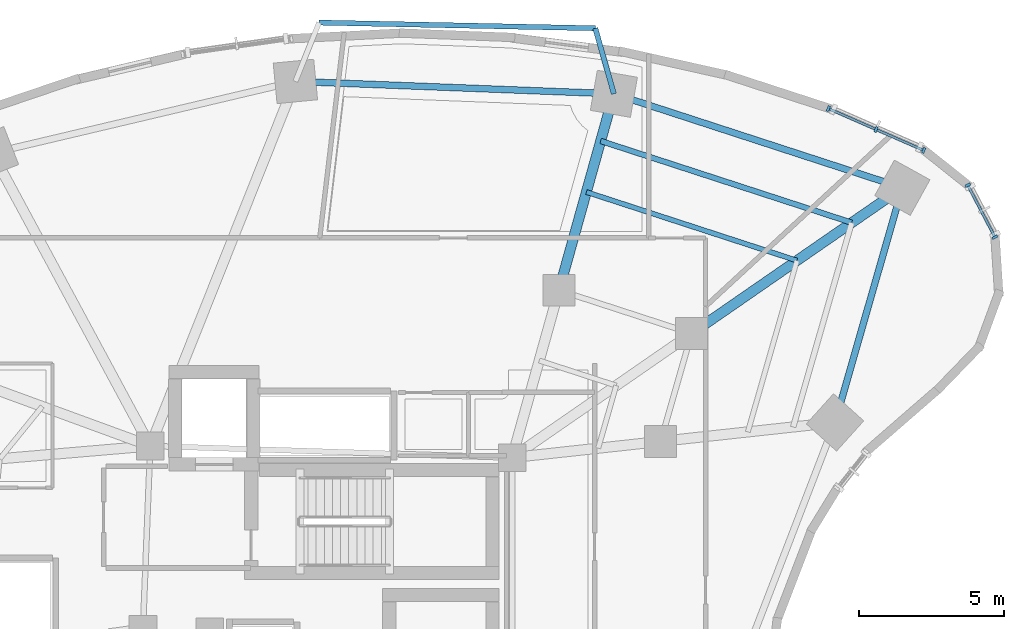
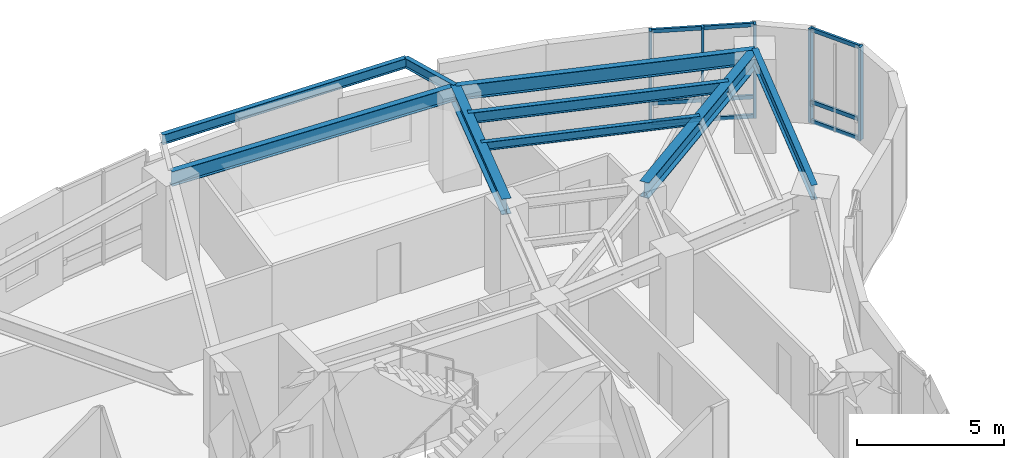
# One storey, part 6 of 15: 14 members, 9 beams, 2 elements without a shape of their own.
"""IFC4 building model written with IfcOpenShell, lengths in metres."""

from ifc_helpers import new_model, si_unit, direction, frame, origin, origin_2d, place, context, subcontext, project, spatial, rectangle, i_section, extrude, material, layer, layer_set, material_profile, profile_set, type_object, element, aggregate, save


model = new_model("IFC4")

# Units and contexts
model_context = context("Model", 3, precision=1e-05, world=origin(), true_north=direction((0.0, 1.0)))
body_context = subcontext(model_context, "Body", "Model", "MODEL_VIEW")
ifc_project = project(units=[si_unit("LENGTHUNIT", "METRE"), si_unit("AREAUNIT", "SQUARE_METRE"), si_unit("VOLUMEUNIT", "CUBIC_METRE"), si_unit("PLANEANGLEUNIT", "RADIAN"), si_unit("MASSUNIT", "GRAM", prefix="KILO")], contexts=[model_context])

# Site, building, storey
site_placement = place(None, origin())
site = spatial("IfcSite", under=ifc_project, at=site_placement, CompositionType="ELEMENT")
building_placement = place(site_placement, origin())
building = spatial("IfcBuilding", under=site, at=building_placement, Name="Korentha Bioscience Tower", CompositionType="ELEMENT")
storey_placement = place(building_placement, frame((0.0, 0.0, 72.0)))
storey = spatial("IfcBuildingStorey", under=building, at=storey_placement, Name="L16", CompositionType="ELEMENT", Elevation=72.0)

# Curtain wall, members
ifc_material_1 = material(Name="Thermally Broken Aluminium Frame", Category="aluminium")
ifc_layer = layer(ifc_material_1, 0.219970703125, Name="Thermally Broken Aluminium Frame")
ifc_layer_set = layer_set([ifc_layer], Name="Thermally Broken Aluminium Frame (CW-T2)")
curtain_wall_type = type_object("IfcCurtainWallType", Name="Solar-Screened Lab Unitised Curtain Wall CW-T2", PredefinedType="USERDEFINED", material=ifc_layer_set)
curtain_wall_1_placement = place(storey_placement, origin())
curtain_wall_1 = element("IfcCurtainWall", 1, at=curtain_wall_1_placement, inside=storey, type_object=curtain_wall_type, Name="L16 Curtain Wall 01", ObjectType="UNITISED", PredefinedType="USERDEFINED")
ifc_material_2 = material(Name="Anodised Aluminium 6063-T6", Category="aluminium")
ifc_material_profile_1 = material_profile(ifc_material_2, rectangle(XDim=0.090087890625, YDim=0.199951171875, at=origin_2d()), Name="Anodised Aluminium 6063-T6")
ifc_profile_set_1 = profile_set([ifc_material_profile_1], Name="Anodised Aluminium 6063-T6 (CW-MUL)")
member_type_1 = type_object("IfcMemberType", Name="Mullion RECT 90x200", PredefinedType="MULLION", material=ifc_profile_set_1)
member_1_placement = place(storey_placement, frame((51.71337890625, 46.420654296875, 0.0), z_axis=(0.0, 0.0, 1.0), x_axis=(-0.91593909057, 0.401317308828, 0.0)))
member_1 = element("IfcMember", 2, at=member_1_placement, type_object=member_type_1, Name="CW-L16-01 Mullion 1", PredefinedType="MULLION", context=body_context, shape_type="SweptSolid", body=[
    extrude(rectangle(XDim=0.090087890625, YDim=0.199951171875, at=origin_2d()), origin(), (0.0, 0.0, 1.0), 3.89990234375),
])
member_2_placement = place(storey_placement, frame((50.072998046875, 47.139404296875, 0.0), z_axis=(0.0, 0.0, 1.0), x_axis=(-0.91593909057, 0.401317308828, 0.0)))
member_2 = element("IfcMember", 3, at=member_2_placement, type_object=member_type_1, Name="CW-L16-01 Mullion 2", PredefinedType="MULLION", context=body_context, shape_type="SweptSolid", body=[
    extrude(rectangle(XDim=0.090087890625, YDim=0.199951171875, at=origin_2d()), origin(), (0.0, 0.0, 1.0), 3.89990234375),
])
member_3_placement = place(storey_placement, frame((48.43212890625, 47.8583984375, 0.0), z_axis=(0.0, 0.0, 1.0), x_axis=(-0.91593909057, 0.401317308828, 0.0)))
member_3 = element("IfcMember", 4, at=member_3_placement, type_object=member_type_1, Name="CW-L16-01 Mullion 3", PredefinedType="MULLION", context=body_context, shape_type="SweptSolid", body=[
    extrude(rectangle(XDim=0.090087890625, YDim=0.199951171875, at=origin_2d()), origin(), (0.0, 0.0, 1.0), 3.89990234375),
])

curtain_wall_2_placement = place(storey_placement, origin())
curtain_wall_2 = element("IfcCurtainWall", 5, at=curtain_wall_2_placement, inside=storey, type_object=curtain_wall_type, Name="L16 Curtain Wall 61", ObjectType="UNITISED", PredefinedType="USERDEFINED")
member_4_placement = place(storey_placement, frame((54.163330078125, 43.435302734375, 0.0), z_axis=(0.0, 0.0, 1.0), x_axis=(-0.463008597697, 0.886353788539, 0.0)))
member_4 = element("IfcMember", 6, at=member_4_placement, type_object=member_type_1, Name="CW-L16-61 Mullion 1", PredefinedType="MULLION", context=body_context, shape_type="SweptSolid", body=[
    extrude(rectangle(XDim=0.090087890625, YDim=0.199951171875, at=origin_2d()), origin(), (0.0, 0.0, 1.0), 3.89990234375),
])
member_5_placement = place(storey_placement, frame((53.22900390625, 45.2236328125, 0.0), z_axis=(0.0, 0.0, 1.0), x_axis=(-0.463008597697, 0.886353788539, 0.0)))
member_5 = element("IfcMember", 7, at=member_5_placement, type_object=member_type_1, Name="CW-L16-61 Mullion 2", PredefinedType="MULLION", context=body_context, shape_type="SweptSolid", body=[
    extrude(rectangle(XDim=0.090087890625, YDim=0.199951171875, at=origin_2d()), origin(), (0.0, 0.0, 1.0), 3.89990234375),
])

# Beams
ifc_material_3 = material(Name="Steel S355", Category="steel")
ifc_material_profile_2 = material_profile(ifc_material_3, i_section(OverallWidth=0.22802734375, OverallDepth=0.60791015625, WebThickness=0.01123046875, FlangeThickness=0.017333984375, at=origin_2d()), Name="Steel S355")
ifc_profile_set_2 = profile_set([ifc_material_profile_2], Name="Steel S355 (SB-610)")
beam_type_1 = type_object("IfcBeamType", Name="Perimeter Ring Spandrel Girder W610x113", PredefinedType="SPANDREL", material=ifc_profile_set_2)
beam_1_placement = place(storey_placement, frame((50.977294921875, 45.135498046875, 3.595947265625), z_axis=(-0.95087511444, 0.309574735305, 0.0), x_axis=(-0.309574735305, -0.95087511444, 0.0)))
element("IfcBeam", 8, at=beam_1_placement, inside=storey, type_object=beam_type_1, Name="L16 Perimeter Spandrel Girder 01", PredefinedType="SPANDREL", context=body_context, shape_type="SweptSolid", body=[
    extrude(i_section(OverallWidth=0.22802734375, OverallDepth=0.60791015625, WebThickness=0.01123046875, FlangeThickness=0.017333984375, at=origin_2d()), origin(), (0.0, 0.0, 1.0), 10.4375),
])
beam_2_placement = place(storey_placement, frame((41.052490234375, 48.36669921875, 3.595947265625), z_axis=(-0.999246003889, 0.03882555488, 0.0), x_axis=(-0.03882555488, -0.999246003889, 0.0)))
element("IfcBeam", 9, at=beam_2_placement, inside=storey, type_object=beam_type_1, Name="L16 Perimeter Spandrel Girder 02", PredefinedType="SPANDREL", context=body_context, shape_type="SweptSolid", body=[
    extrude(i_section(OverallWidth=0.22802734375, OverallDepth=0.60791015625, WebThickness=0.01123046875, FlangeThickness=0.017333984375, at=origin_2d()), origin(), (0.0, 0.0, 1.0), 10.966552734375),
])
beam_3_placement = place(storey_placement, frame((48.661865234375, 37.060791015625, 3.595947265625), z_axis=(0.275642273411, 0.961260285827, 0.0), x_axis=(-0.961260285827, 0.275642273411, 0.0)))
element("IfcBeam", 10, at=beam_3_placement, inside=storey, type_object=beam_type_1, Name="L16 Perimeter Spandrel Girder 16", PredefinedType="SPANDREL", context=body_context, shape_type="SweptSolid", body=[
    extrude(i_section(OverallWidth=0.22802734375, OverallDepth=0.60791015625, WebThickness=0.01123046875, FlangeThickness=0.017333984375, at=origin_2d()), origin(), (0.0, 0.0, 1.0), 8.400146484375),
])
ifc_material_profile_3 = material_profile(ifc_material_3, i_section(OverallWidth=0.18994140625, OverallDepth=0.45703125, WebThickness=0.009033203125, FlangeThickness=0.014404296875, at=origin_2d()), Name="Steel S355")
ifc_profile_set_3 = profile_set([ifc_material_profile_3], Name="Steel S355 (RB-460)")
beam_type_2 = type_object("IfcBeamType", Name="Radial Laboratory Beam W460x74", PredefinedType="BEAM", material=ifc_profile_set_3)
beam_4_placement = place(storey_placement, frame((49.2373046875, 43.931884765625, 3.67138671875), z_axis=(-0.95087437499, 0.309577006554, 0.0), x_axis=(-0.309577006554, -0.95087437499, 0.0)))
element("IfcBeam", 11, at=beam_4_placement, inside=storey, type_object=beam_type_2, Name="L16 Secondary Floor Beam JSTO-01", PredefinedType="BEAM", context=body_context, shape_type="SweptSolid", body=[
    extrude(i_section(OverallWidth=0.18994140625, OverallDepth=0.45703125, WebThickness=0.009033203125, FlangeThickness=0.014404296875, at=origin_2d()), origin(), (0.0, 0.0, 1.0), 9.0849609375),
])
ifc_material_profile_4 = material_profile(ifc_material_3, i_section(OverallWidth=0.35009765625, OverallDepth=0.64990234375, WebThickness=0.01611328125, FlangeThickness=0.02490234375, at=origin_2d()), Name="Steel S355")
ifc_profile_set_4 = profile_set([ifc_material_profile_4], Name="Steel S355 (RB-650)")
beam_type_3 = type_object("IfcBeamType", Name="Radial Laboratory Girder CVS 650x208", PredefinedType="BEAM", material=ifc_profile_set_4)
beam_5_placement = place(storey_placement, frame((43.7265625, 40.121337890625, 3.574951171875), z_axis=(0.822488186113, 0.568782193555, 0.0), x_axis=(-0.568782193555, 0.822488186113, 0.0)))
element("IfcBeam", 12, at=beam_5_placement, inside=storey, type_object=beam_type_3, Name="L16 Outer Radial Girder 01", PredefinedType="BEAM", context=body_context, shape_type="SweptSolid", body=[
    extrude(i_section(OverallWidth=0.35009765625, OverallDepth=0.64990234375, WebThickness=0.01611328125, FlangeThickness=0.02490234375, at=origin_2d()), origin(), (0.0, 0.0, 1.0), 8.815673828125),
])
beam_6_placement = place(storey_placement, frame((39.1611328125, 41.607666015625, 3.574951171875), z_axis=(0.269475095129, 0.963007358801, 0.0), x_axis=(-0.963007358801, 0.269475095129, 0.0)))
element("IfcBeam", 13, at=beam_6_placement, inside=storey, type_object=beam_type_3, Name="L16 Outer Radial Girder 02", PredefinedType="BEAM", context=body_context, shape_type="SweptSolid", body=[
    extrude(i_section(OverallWidth=0.35009765625, OverallDepth=0.64990234375, WebThickness=0.01611328125, FlangeThickness=0.02490234375, at=origin_2d()), origin(), (0.0, 0.0, 1.0), 7.0185546875),
])
ifc_material_profile_5 = material_profile(ifc_material_3, i_section(OverallWidth=0.1708984375, OverallDepth=0.35498046875, WebThickness=0.007080078125, FlangeThickness=0.01171875, at=origin_2d()), Name="Steel S355")
ifc_profile_set_5 = profile_set([ifc_material_profile_5], Name="Steel S355 (JB-360)")
beam_type_4 = type_object("IfcBeamType", Name="Secondary Laboratory Joist W360x51", PredefinedType="JOIST", material=ifc_profile_set_5)
beam_7_placement = place(storey_placement, frame((47.35205078125, 42.62841796875, 3.722412109375), z_axis=(-0.950870992772, 0.309587394938, 0.0), x_axis=(-0.309587394938, -0.950870992772, 0.0)))
element("IfcBeam", 14, at=beam_7_placement, inside=storey, type_object=beam_type_4, Name="L16 Secondary Floor Beam JST-01", PredefinedType="JOIST", context=body_context, shape_type="SweptSolid", body=[
    extrude(i_section(OverallWidth=0.1708984375, OverallDepth=0.35498046875, WebThickness=0.007080078125, FlangeThickness=0.01171875, at=origin_2d()), origin(), (0.0, 0.0, 1.0), 7.619384765625),
])
ifc_material_profile_6 = material_profile(ifc_material_3, i_section(OverallWidth=0.177978515625, OverallDepth=0.406982421875, WebThickness=0.0078125, FlangeThickness=0.0126953125, at=origin_2d()), Name="Steel S355")
ifc_profile_set_6 = profile_set([ifc_material_profile_6], Name="Steel S355 (CB-410)")
beam_type_5 = type_object("IfcBeamType", Name="Sun-Ledge Cantilever Beam W410x60", PredefinedType="BEAM", material=ifc_profile_set_6)
beam_8_placement = place(storey_placement, frame((41.052490234375, 48.36669921875, 3.698486328125), z_axis=(-0.272575265029, 0.962134463001, 0.0), x_axis=(-0.962134463001, -0.272575265029, 0.0)))
element("IfcBeam", 15, at=beam_8_placement, inside=storey, type_object=beam_type_5, Name="L16 Balcony Cantilever Bracket A-L17-01", PredefinedType="BEAM", context=body_context, shape_type="SweptSolid", body=[
    extrude(i_section(OverallWidth=0.177978515625, OverallDepth=0.406982421875, WebThickness=0.0078125, FlangeThickness=0.0126953125, at=origin_2d()), origin(), (0.0, 0.0, 1.0), 2.344970703125),
])
beam_9_placement = place(storey_placement, frame((40.413330078125, 50.622802734375, 3.698486328125), z_axis=(-0.999790533568, 0.020466777676, 0.0), x_axis=(-0.020466777676, -0.999790533568, 0.0)))
element("IfcBeam", 16, at=beam_9_placement, inside=storey, type_object=beam_type_5, Name="L16 Balcony Edge Trimmer Beam L17-01", PredefinedType="BEAM", context=body_context, shape_type="SweptSolid", body=[
    extrude(i_section(OverallWidth=0.177978515625, OverallDepth=0.406982421875, WebThickness=0.0078125, FlangeThickness=0.0126953125, at=origin_2d()), origin(), (0.0, 0.0, 1.0), 9.507080078125),
])

# Member
ifc_material_profile_7 = material_profile(ifc_material_2, rectangle(XDim=0.090087890625, YDim=0.159912109375, at=origin_2d()), Name="Anodised Aluminium 6063-T6")
ifc_profile_set_7 = profile_set([ifc_material_profile_7], Name="Anodised Aluminium 6063-T6 (CW-TRN)")
member_type_2 = type_object("IfcMemberType", Name="Transom RECT 90x160", PredefinedType="USERDEFINED", material=ifc_profile_set_7)
member_6_placement = place(storey_placement, frame((51.67236328125, 46.438720703125, 0.044921875), z_axis=(-0.915976098914, 0.401232832926, 0.0), x_axis=(-0.401232832926, -0.915976098914, 0.0)))
member_6 = element("IfcMember", 17, at=member_6_placement, type_object=member_type_2, Name="CW-L16-01 Bay 1 Transom 1", ObjectType="TRANSOM", PredefinedType="USERDEFINED", context=body_context, shape_type="SweptSolid", body=[
    extrude(rectangle(XDim=0.090087890625, YDim=0.159912109375, at=origin_2d()), origin(), (0.0, 0.0, 1.0), 1.701416015625),
])

member_7_placement = place(storey_placement, frame((51.67236328125, 46.438720703125, 0.85009765625), z_axis=(-0.915976098914, 0.401232832926, 0.0), x_axis=(-0.401232832926, -0.915976098914, 0.0)))
member_7 = element("IfcMember", 18, at=member_7_placement, type_object=member_type_2, Name="CW-L16-01 Bay 1 Transom 2", ObjectType="TRANSOM", PredefinedType="USERDEFINED", context=body_context, shape_type="SweptSolid", body=[
    extrude(rectangle(XDim=0.090087890625, YDim=0.159912109375, at=origin_2d()), origin(), (0.0, 0.0, 1.0), 1.701416015625),
])

member_8_placement = place(storey_placement, frame((51.67236328125, 46.438720703125, 3.85498046875), z_axis=(-0.915976098914, 0.401232832926, 0.0), x_axis=(-0.401232832926, -0.915976098914, 0.0)))
member_8 = element("IfcMember", 19, at=member_8_placement, type_object=member_type_2, Name="CW-L16-01 Bay 1 Transom 3", ObjectType="TRANSOM", PredefinedType="USERDEFINED", context=body_context, shape_type="SweptSolid", body=[
    extrude(rectangle(XDim=0.090087890625, YDim=0.159912109375, at=origin_2d()), origin(), (0.0, 0.0, 1.0), 1.701416015625),
])

member_9_placement = place(storey_placement, frame((50.031494140625, 47.15771484375, 0.044921875), z_axis=(-0.915952992218, 0.401285579167, 0.0), x_axis=(-0.401285579167, -0.915952992218, 0.0)))
member_9 = element("IfcMember", 20, at=member_9_placement, type_object=member_type_2, Name="CW-L16-01 Bay 2 Transom 1", ObjectType="TRANSOM", PredefinedType="USERDEFINED", context=body_context, shape_type="SweptSolid", body=[
    extrude(rectangle(XDim=0.090087890625, YDim=0.159912109375, at=origin_2d()), origin(), (0.0, 0.0, 1.0), 1.701171875),
])

member_10_placement = place(storey_placement, frame((50.031494140625, 47.15771484375, 0.85009765625), z_axis=(-0.915952992218, 0.401285579167, 0.0), x_axis=(-0.401285579167, -0.915952992218, 0.0)))
member_10 = element("IfcMember", 21, at=member_10_placement, type_object=member_type_2, Name="CW-L16-01 Bay 2 Transom 2", ObjectType="TRANSOM", PredefinedType="USERDEFINED", context=body_context, shape_type="SweptSolid", body=[
    extrude(rectangle(XDim=0.090087890625, YDim=0.159912109375, at=origin_2d()), origin(), (0.0, 0.0, 1.0), 1.701171875),
])

member_11_placement = place(storey_placement, frame((50.031494140625, 47.15771484375, 3.85498046875), z_axis=(-0.915952992218, 0.401285579167, 0.0), x_axis=(-0.401285579167, -0.915952992218, 0.0)))
member_11 = element("IfcMember", 22, at=member_11_placement, type_object=member_type_2, Name="CW-L16-01 Bay 2 Transom 3", ObjectType="TRANSOM", PredefinedType="USERDEFINED", context=body_context, shape_type="SweptSolid", body=[
    extrude(rectangle(XDim=0.090087890625, YDim=0.159912109375, at=origin_2d()), origin(), (0.0, 0.0, 1.0), 1.701171875),
])

aggregate(curtain_wall_1, [member_1, member_2, member_3, member_6, member_7, member_8, member_9, member_10, member_11])

member_12_placement = place(storey_placement, frame((54.142333984375, 43.47509765625, 0.044921875), z_axis=(-0.462899248902, 0.886410900974, 0.0), x_axis=(-0.886410900974, -0.462899248902, 0.0)))
member_12 = element("IfcMember", 23, at=member_12_placement, type_object=member_type_2, Name="CW-L16-61 Bay 1 Transom 1", ObjectType="TRANSOM", PredefinedType="USERDEFINED", context=body_context, shape_type="SweptSolid", body=[
    extrude(rectangle(XDim=0.090087890625, YDim=0.159912109375, at=origin_2d()), origin(), (0.0, 0.0, 1.0), 1.927734375),
])

member_13_placement = place(storey_placement, frame((54.142333984375, 43.47509765625, 0.85009765625), z_axis=(-0.462899248902, 0.886410900974, 0.0), x_axis=(-0.886410900974, -0.462899248902, 0.0)))
member_13 = element("IfcMember", 24, at=member_13_placement, type_object=member_type_2, Name="CW-L16-61 Bay 1 Transom 2", ObjectType="TRANSOM", PredefinedType="USERDEFINED", context=body_context, shape_type="SweptSolid", body=[
    extrude(rectangle(XDim=0.090087890625, YDim=0.159912109375, at=origin_2d()), origin(), (0.0, 0.0, 1.0), 1.927734375),
])

member_14_placement = place(storey_placement, frame((54.142333984375, 43.47509765625, 3.85498046875), z_axis=(-0.462899248902, 0.886410900974, 0.0), x_axis=(-0.886410900974, -0.462899248902, 0.0)))
member_14 = element("IfcMember", 25, at=member_14_placement, type_object=member_type_2, Name="CW-L16-61 Bay 1 Transom 3", ObjectType="TRANSOM", PredefinedType="USERDEFINED", context=body_context, shape_type="SweptSolid", body=[
    extrude(rectangle(XDim=0.090087890625, YDim=0.159912109375, at=origin_2d()), origin(), (0.0, 0.0, 1.0), 1.927734375),
])

aggregate(curtain_wall_2, [member_4, member_5, member_12, member_13, member_14])

save(model, "model.ifc")
